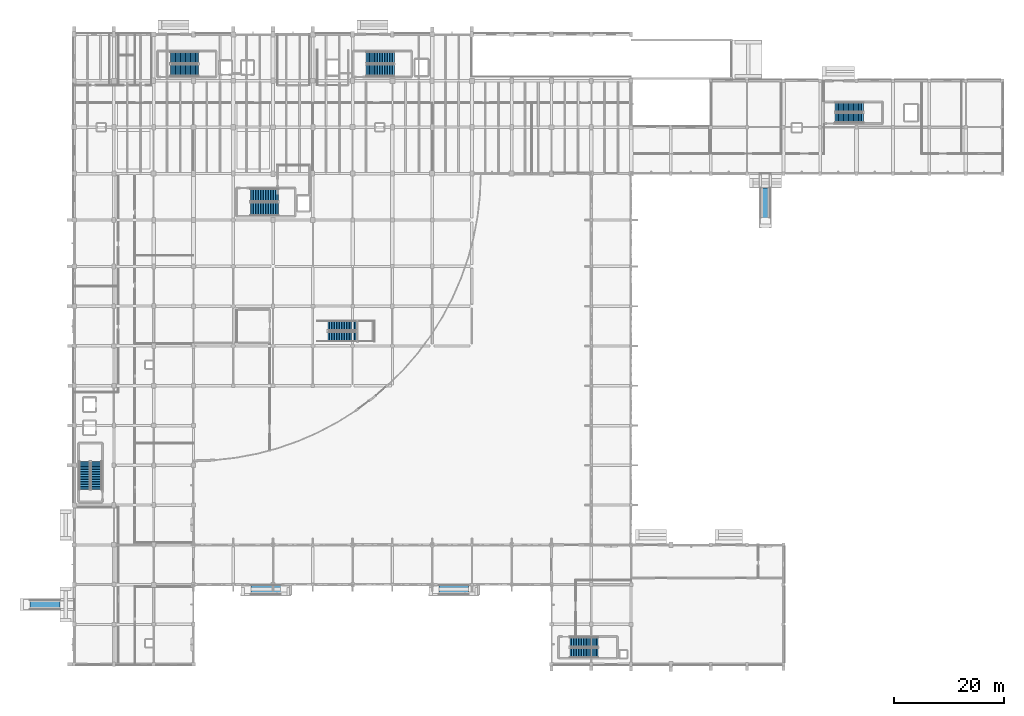
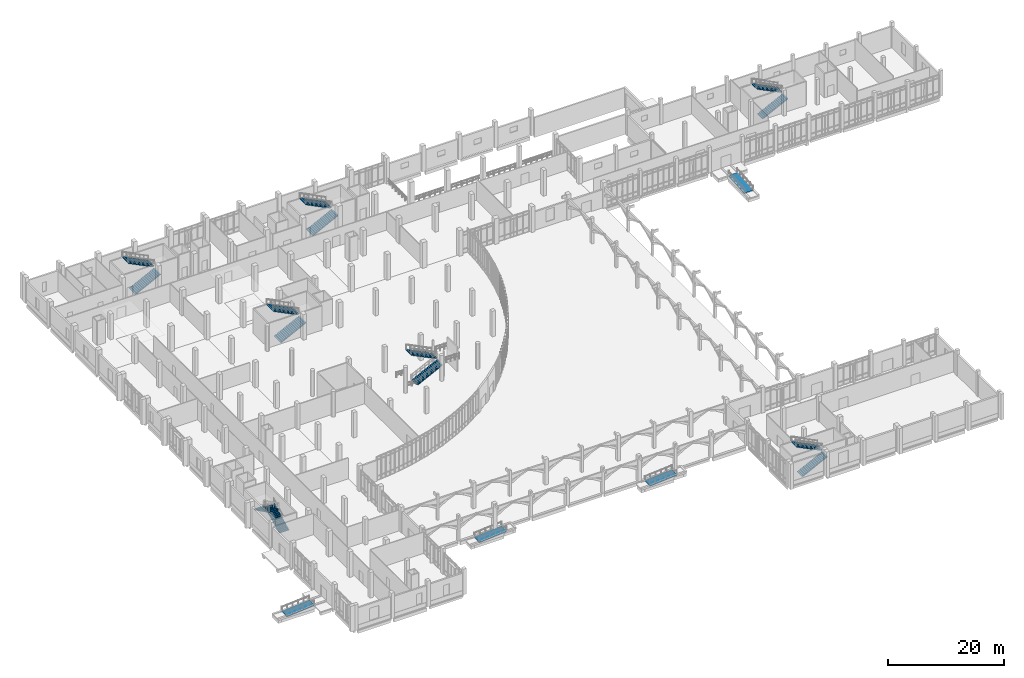
# One storey, part 98 of 110: 14 stair flights, 4 ramp flights, 11 elements without a shape of their own.
"""IFC4 building model written with IfcOpenShell, lengths in metres."""

import ifcopenshell
import ifcopenshell.guid

model = None  # the IFC model being written
_history = None  # IfcOwnerHistory: only IFC2X3 demands one
_inside = {}  # id of a spatial element -> (the spatial element, [elements in it])
_under = {}  # id of a project, library or spatial element -> (it, [spatial elements below it])
_declared = {}  # id of a project -> (the project, [libraries it declares])
_typed = {}  # id of a type object -> (the type object, [elements of that type])
_made_of = {}  # id of a material, layer set ... -> (it, [elements and type objects made of it])


def new_model(schema):
    """Start an empty IFC model of exactly this schema.

    Asked for "IFC4X3", IfcOpenShell would pick the latest addendum, in which some entities
    have other attributes; the version numbers below select the first issue.
    IFC2X3 requires an IfcOwnerHistory on every rooted entity: one is made here for all.
    """
    global model, _history
    if schema == "IFC4X3":
        model = ifcopenshell.file(schema_version=(4, 3, 0, 0))
    else:
        model = ifcopenshell.file(schema=schema)
    _inside.clear()
    _under.clear()
    _declared.clear()
    _typed.clear()
    _made_of.clear()
    _history = None
    if model.schema == "IFC2X3":
        org = make("IfcOrganization", Name="unknown")
        user = make(
            "IfcPersonAndOrganization",
            ThePerson=make("IfcPerson", FamilyName="unknown"),
            TheOrganization=org,
        )
        app = make(
            "IfcApplication",
            ApplicationDeveloper=org,
            Version="unknown",
            ApplicationFullName="unknown",
            ApplicationIdentifier="unknown",
        )
        _history = make(
            "IfcOwnerHistory",
            OwningUser=user,
            OwningApplication=app,
            ChangeAction="ADDED",
            CreationDate=0,
        )
    return model


def make(cls, **values):
    """One entity of the class cls with the attributes given. An attribute that is None is left unset."""
    return model.create_entity(
        cls, **{name: value for name, value in values.items() if value is not None}
    )


def rooted(cls, **values):
    """An entity with a GlobalId (a new one), such as an element, a storey or a relation."""
    return make(cls, GlobalId=ifcopenshell.guid.new(), OwnerHistory=_history, **values)


def si_unit(unit_type, name, prefix=None):
    """IfcSIUnit, for example si_unit("LENGTHUNIT", "METRE", prefix="MILLI")."""
    return make("IfcSIUnit", UnitType=unit_type, Prefix=prefix, Name=name)


def assignment(units):
    """IfcUnitAssignment: the units of a project."""
    return None if units is None else make("IfcUnitAssignment", Units=units)


def point(xyz):
    """IfcCartesianPoint."""
    return None if xyz is None else make("IfcCartesianPoint", Coordinates=xyz)


def direction(xyz):
    """IfcDirection."""
    return None if xyz is None else make("IfcDirection", DirectionRatios=xyz)


def frame(location, z_axis=None, x_axis=None):
    """IfcAxis2Placement3D, a coordinate frame: its origin and axes. An axis left out is left unset."""
    return make(
        "IfcAxis2Placement3D",
        Location=point(location),
        Axis=direction(z_axis),
        RefDirection=direction(x_axis),
    )


def origin():
    """The frame at (0, 0, 0) with its axes left unset."""
    return frame((0.0, 0.0, 0.0))


def place(relative_to, where):
    """IfcLocalPlacement: puts the frame where relative to a parent placement (None: the world)."""
    return make(
        "IfcLocalPlacement", PlacementRelTo=relative_to, RelativePlacement=where
    )


def context(
    kind, dimensions, precision=None, world=None, true_north=None, identifier=None
):
    """IfcGeometricRepresentationContext, for example the 3D "Model" context."""
    return make(
        "IfcGeometricRepresentationContext",
        ContextIdentifier=identifier,
        ContextType=kind,
        CoordinateSpaceDimension=dimensions,
        Precision=precision,
        WorldCoordinateSystem=world,
        TrueNorth=true_north,
    )


def subcontext(parent, identifier, kind, view, scale=None):
    """IfcGeometricRepresentationSubContext, for example "Body" below "Model"."""
    return make(
        "IfcGeometricRepresentationSubContext",
        ContextIdentifier=identifier,
        ContextType=kind,
        ParentContext=parent,
        TargetScale=scale,
        TargetView=view,
    )


def project(units=None, contexts=None):
    """IfcProject with its units and contexts."""
    return rooted(
        "IfcProject",
        Name="project",
        RepresentationContexts=contexts,
        UnitsInContext=assignment(units),
    )


def spatial(cls, under=None, at=None, **own):
    """A site, building, storey or space (cls), placed at a placement, below another one or the project."""
    s = rooted(cls, ObjectPlacement=at, **own)
    if under is not None:
        _under.setdefault(under.id(), (under, []))[1].append(s)
    return s


def polyline(points):
    """IfcPolyline through the points."""
    return make("IfcPolyline", Points=[point(p) for p in points])


def outline(outer, holes=None, kind="AREA"):
    """IfcArbitraryClosedProfileDef: a profile drawn as a closed curve; with holes, ...WithVoids."""
    if holes is None:
        return make("IfcArbitraryClosedProfileDef", ProfileType=kind, OuterCurve=outer)
    return make(
        "IfcArbitraryProfileDefWithVoids",
        ProfileType=kind,
        OuterCurve=outer,
        InnerCurves=holes,
    )


def extrude(swept, where, along, depth):
    """IfcExtrudedAreaSolid: the profile swept, set in the frame where, extruded along a direction by depth."""
    return make(
        "IfcExtrudedAreaSolid",
        SweptArea=swept,
        Position=where,
        ExtrudedDirection=direction(along),
        Depth=depth,
    )


def shape(context_of_items, identifier, shape_type, items):
    """IfcShapeRepresentation: the items that make up one representation, for example the "Body"."""
    return make(
        "IfcShapeRepresentation",
        ContextOfItems=context_of_items,
        RepresentationIdentifier=identifier,
        RepresentationType=shape_type,
        Items=items,
    )


def material(Name=None, Category=None):
    """IfcMaterial."""
    return make("IfcMaterial", Name=Name, Category=Category)


def layer(
    of_material, thickness, ventilated=None, Name=None, Category=None, Priority=None
):
    """IfcMaterialLayer: one layer of a wall or slab, of a material (None: an air gap)."""
    return make(
        "IfcMaterialLayer",
        Material=of_material,
        LayerThickness=thickness,
        IsVentilated=ventilated,
        Name=Name,
        Category=Category,
        Priority=Priority,
    )


def layer_set(layers, Name=None):
    """IfcMaterialLayerSet."""
    return make("IfcMaterialLayerSet", MaterialLayers=layers, LayerSetName=Name)


def made_of(thing, what):
    """Note that an element or type object is made of a material, layer set ...; save() writes the relation."""
    if what is not None:
        _made_of.setdefault(what.id(), (what, []))[1].append(thing)
    return thing


def type_object(cls, material=None, **own):
    """A type object (cls), such as IfcWallType, which elements share."""
    return made_of(rooted(cls, **own), material)


def element(
    cls,
    number,
    at=None,
    inside=None,
    cuts=None,
    type_object=None,
    material=None,
    context=None,
    identifier="Body",
    shape_type=None,
    held_by="IfcProductDefinitionShape",
    body=None,
    shapes=None,
    **own,
):
    """One element of the class cls, such as IfcWall. Its Tag is "e" and its number.

    at: its placement. inside: the storey or other place that contains it. cuts: it is an
    opening in that element (IfcRelVoidsElement). A single representation is given by context,
    identifier, shape_type and body (its items); several are given by shapes. held_by: the class
    of the entity that holds the representations. save() writes the other relations.
    """
    e = rooted(cls, Tag="e%d" % number, ObjectPlacement=at, **own)
    if body is not None:
        shapes = [shape(context, identifier, shape_type, body)]
    if shapes is not None:
        e.Representation = make(held_by, Representations=shapes)
    if inside is not None:
        _inside.setdefault(inside.id(), (inside, []))[1].append(e)
    if cuts is not None:
        rooted(
            "IfcRelVoidsElement", RelatingBuildingElement=cuts, RelatedOpeningElement=e
        )
    if type_object is not None:
        _typed.setdefault(type_object.id(), (type_object, []))[1].append(e)
    return made_of(e, material)


def aggregate(whole, parts):
    """IfcRelAggregates: a whole, such as a stair, and the parts it consists of."""
    return rooted("IfcRelAggregates", RelatingObject=whole, RelatedObjects=parts)


def save(model, path):
    """Write the relations noted so far, then the file.

    IfcRelAggregates (storeys below a building ...), IfcRelContainedInSpatialStructure (elements
    in a storey), IfcRelDefinesByType, IfcRelAssociatesMaterial and IfcRelDeclares: one each for
    every whole, place, type object, material and project.
    """
    for whole, parts in _under.values():
        aggregate(whole, parts)
    for where, things in _inside.values():
        rooted(
            "IfcRelContainedInSpatialStructure",
            RelatedElements=things,
            RelatingStructure=where,
        )
    for kind, things in _typed.values():
        rooted("IfcRelDefinesByType", RelatedObjects=things, RelatingType=kind)
    for what, things in _made_of.values():
        rooted("IfcRelAssociatesMaterial", RelatedObjects=things, RelatingMaterial=what)
    for by, libraries in _declared.values():
        rooted("IfcRelDeclares", RelatingContext=by, RelatedDefinitions=libraries)
    model.write(path)


model = new_model("IFC4")

# Units and contexts
model_context = context("Model", 3, precision=1e-05, world=origin(), true_north=direction((0.0, 1.0)))
body_context = subcontext(model_context, "Body", "Model", "MODEL_VIEW")
ifc_project = project(units=[si_unit("LENGTHUNIT", "METRE"), si_unit("AREAUNIT", "SQUARE_METRE"), si_unit("VOLUMEUNIT", "CUBIC_METRE"), si_unit("PLANEANGLEUNIT", "RADIAN"), si_unit("MASSUNIT", "GRAM", prefix="KILO")], contexts=[model_context])

# Site, building, storey
site_placement = place(None, origin())
site = spatial("IfcSite", under=ifc_project, at=site_placement, CompositionType="ELEMENT")
building_placement = place(site_placement, origin())
building = spatial("IfcBuilding", under=site, at=building_placement, Name="Kalluvel Institute of Natural Sciences", CompositionType="ELEMENT")
storey_placement = place(building_placement, origin())
storey = spatial("IfcBuildingStorey", under=building, at=storey_placement, Name="L00", CompositionType="ELEMENT", Elevation=0.0)

# Stair, stair flights
ifc_material = material(Name="Concrete M40", Category="concrete")
stair_type_1 = type_object("IfcStairType", Name="STR-ST12-54", PredefinedType="HALF_TURN_STAIR", material=ifc_material)
stair_1_placement = place(storey_placement, origin())
stair_1 = element("IfcStair", 1, at=stair_1_placement, inside=storey, type_object=stair_type_1, Name="L00 Wet Wing West Protected Exit Stair ST1", PredefinedType="HALF_TURN_STAIR")
stair_flight_type_1 = type_object("IfcStairFlightType", Name="STF-ST12-54", PredefinedType="STRAIGHT", material=ifc_material)
stair_flight_1_placement = place(storey_placement, frame((31.449951171875, 121.47998046875, 0.0), z_axis=(0.0, 0.0, 1.0), x_axis=(1.0, 0.0, 0.0)))
stair_flight_1 = element("IfcStairFlight", 2, at=stair_flight_1_placement, type_object=stair_flight_type_1, Name="S1-54 flight 1", NumberOfRisers=18, NumberOfTreads=17, PredefinedType="STRAIGHT", RiserHeight=0.15, TreadLength=0.3, context=body_context, shape_type="SweptSolid", body=[
    extrude(outline(polyline([(0.0, 0.0), (0.0, 0.14990234375), (0.300048828125, 0.14990234375), (0.300048828125, 0.300048828125), (0.60009765625, 0.300048828125), (0.60009765625, 0.449951171875), (0.89990234375, 0.449951171875), (0.89990234375, 0.60009765625), (1.199951171875, 0.60009765625), (1.199951171875, 0.75), (1.5, 0.75), (1.5, 0.89990234375), (1.800048828125, 0.89990234375), (1.800048828125, 1.050048828125), (2.10009765625, 1.050048828125), (2.10009765625, 1.199951171875), (2.39990234375, 1.199951171875), (2.39990234375, 1.35009765625), (2.699951171875, 1.35009765625), (2.699951171875, 1.5), (3.0, 1.5), (3.0, 1.64990234375), (3.300048828125, 1.64990234375), (3.300048828125, 1.800048828125), (3.60009765625, 1.800048828125), (3.60009765625, 1.949951171875), (3.89990234375, 1.949951171875), (3.89990234375, 2.10009765625), (4.199951171875, 2.10009765625), (4.199951171875, 2.25), (4.5, 2.25), (4.5, 2.39990234375), (4.800048828125, 2.39990234375), (4.800048828125, 2.550048828125), (5.10009765625, 2.550048828125), (5.10009765625, 2.699951171875), (5.10009765625, 2.38232421875), (0.335205078125, 0.0), (0.0, 0.0)])), frame((0.0, 1.080078125, 0.0), z_axis=(0.0, -1.0, 0.0), x_axis=(1.0, 0.0, 0.0)), (0.0, 0.0, 1.0), 2.159912109375),
])
stair_flight_2_placement = place(storey_placement, frame((36.550048828125, 123.7900390625, 2.699951171875), z_axis=(0.0, 0.0, 1.0), x_axis=(-1.0, 0.0, 0.0)))
stair_flight_2 = element("IfcStairFlight", 3, at=stair_flight_2_placement, type_object=stair_flight_type_1, Name="S1-54 flight 2", NumberOfRisers=18, NumberOfTreads=17, PredefinedType="STRAIGHT", RiserHeight=0.15, TreadLength=0.3, context=body_context, shape_type="SweptSolid", body=[
    extrude(outline(polyline([(0.0, 0.0), (0.0, 0.14990234375), (0.300048828125, 0.14990234375), (0.300048828125, 0.300048828125), (0.60009765625, 0.300048828125), (0.60009765625, 0.449951171875), (0.89990234375, 0.449951171875), (0.89990234375, 0.60009765625), (1.199951171875, 0.60009765625), (1.199951171875, 0.75), (1.5, 0.75), (1.5, 0.89990234375), (1.800048828125, 0.89990234375), (1.800048828125, 1.050048828125), (2.10009765625, 1.050048828125), (2.10009765625, 1.199951171875), (2.39990234375, 1.199951171875), (2.39990234375, 1.35009765625), (2.699951171875, 1.35009765625), (2.699951171875, 1.5), (3.0, 1.5), (3.0, 1.64990234375), (3.300048828125, 1.64990234375), (3.300048828125, 1.800048828125), (3.60009765625, 1.800048828125), (3.60009765625, 1.949951171875), (3.89990234375, 1.949951171875), (3.89990234375, 2.10009765625), (4.199951171875, 2.10009765625), (4.199951171875, 2.25), (4.5, 2.25), (4.5, 2.39990234375), (4.800048828125, 2.39990234375), (4.800048828125, 2.550048828125), (5.10009765625, 2.550048828125), (5.10009765625, 2.699951171875), (5.10009765625, 2.38232421875), (0.335205078125, 0.0), (0.0, 0.0)])), frame((0.0, 1.080078125, 0.0), z_axis=(0.0, -1.0, 0.0), x_axis=(1.0, 0.0, 0.0)), (0.0, 0.0, 1.0), 2.159912109375),
])
aggregate(stair_1, [stair_flight_1, stair_flight_2])

stair_2_placement = place(storey_placement, origin())
stair_2 = element("IfcStair", 4, at=stair_2_placement, inside=storey, type_object=stair_type_1, Name="L00 Wet Wing East Protected Exit Stair ST2", PredefinedType="HALF_TURN_STAIR")
stair_flight_3_placement = place(storey_placement, frame((66.85009765625, 121.47998046875, 0.0), z_axis=(0.0, 0.0, 1.0), x_axis=(1.0, 0.0, 0.0)))
stair_flight_3 = element("IfcStairFlight", 5, at=stair_flight_3_placement, type_object=stair_flight_type_1, Name="S1-54 flight 1", NumberOfRisers=18, NumberOfTreads=17, PredefinedType="STRAIGHT", RiserHeight=0.15, TreadLength=0.3, context=body_context, shape_type="SweptSolid", body=[
    extrude(outline(polyline([(0.0, 0.0), (0.0, 0.14990234375), (0.300048828125, 0.14990234375), (0.300048828125, 0.300048828125), (0.60009765625, 0.300048828125), (0.60009765625, 0.449951171875), (0.89990234375, 0.449951171875), (0.89990234375, 0.60009765625), (1.199951171875, 0.60009765625), (1.199951171875, 0.75), (1.5, 0.75), (1.5, 0.89990234375), (1.800048828125, 0.89990234375), (1.800048828125, 1.050048828125), (2.10009765625, 1.050048828125), (2.10009765625, 1.199951171875), (2.39990234375, 1.199951171875), (2.39990234375, 1.35009765625), (2.699951171875, 1.35009765625), (2.699951171875, 1.5), (3.0, 1.5), (3.0, 1.64990234375), (3.300048828125, 1.64990234375), (3.300048828125, 1.800048828125), (3.60009765625, 1.800048828125), (3.60009765625, 1.949951171875), (3.89990234375, 1.949951171875), (3.89990234375, 2.10009765625), (4.199951171875, 2.10009765625), (4.199951171875, 2.25), (4.5, 2.25), (4.5, 2.39990234375), (4.800048828125, 2.39990234375), (4.800048828125, 2.550048828125), (5.10009765625, 2.550048828125), (5.10009765625, 2.699951171875), (5.10009765625, 2.38232421875), (0.335205078125, 0.0), (0.0, 0.0)])), frame((0.0, 1.080078125, 0.0), z_axis=(0.0, -1.0, 0.0), x_axis=(1.0, 0.0, 0.0)), (0.0, 0.0, 1.0), 2.159912109375),
])
stair_flight_4_placement = place(storey_placement, frame((71.949951171875, 123.7900390625, 2.699951171875), z_axis=(0.0, 0.0, 1.0), x_axis=(-1.0, 0.0, 0.0)))
stair_flight_4 = element("IfcStairFlight", 6, at=stair_flight_4_placement, type_object=stair_flight_type_1, Name="S1-54 flight 2", NumberOfRisers=18, NumberOfTreads=17, PredefinedType="STRAIGHT", RiserHeight=0.15, TreadLength=0.3, context=body_context, shape_type="SweptSolid", body=[
    extrude(outline(polyline([(0.0, 0.0), (0.0, 0.14990234375), (0.300048828125, 0.14990234375), (0.300048828125, 0.300048828125), (0.60009765625, 0.300048828125), (0.60009765625, 0.449951171875), (0.89990234375, 0.449951171875), (0.89990234375, 0.60009765625), (1.199951171875, 0.60009765625), (1.199951171875, 0.75), (1.5, 0.75), (1.5, 0.89990234375), (1.800048828125, 0.89990234375), (1.800048828125, 1.050048828125), (2.10009765625, 1.050048828125), (2.10009765625, 1.199951171875), (2.39990234375, 1.199951171875), (2.39990234375, 1.35009765625), (2.699951171875, 1.35009765625), (2.699951171875, 1.5), (3.0, 1.5), (3.0, 1.64990234375), (3.300048828125, 1.64990234375), (3.300048828125, 1.800048828125), (3.60009765625, 1.800048828125), (3.60009765625, 1.949951171875), (3.89990234375, 1.949951171875), (3.89990234375, 2.10009765625), (4.199951171875, 2.10009765625), (4.199951171875, 2.25), (4.5, 2.25), (4.5, 2.39990234375), (4.800048828125, 2.39990234375), (4.800048828125, 2.550048828125), (5.10009765625, 2.550048828125), (5.10009765625, 2.699951171875), (5.10009765625, 2.38232421875), (0.335205078125, 0.0), (0.0, 0.0)])), frame((0.0, 1.080078125, 0.0), z_axis=(0.0, -1.0, 0.0), x_axis=(1.0, 0.0, 0.0)), (0.0, 0.0, 1.0), 2.159912109375),
])
aggregate(stair_2, [stair_flight_3, stair_flight_4])

stair_type_2 = type_object("IfcStairType", Name="STR-ST3-54", PredefinedType="HALF_TURN_STAIR", material=ifc_material)
stair_3_placement = place(storey_placement, origin())
stair_3 = element("IfcStair", 7, at=stair_3_placement, inside=storey, type_object=stair_type_2, Name="L00 Central Fire-Tower Protected Stair ST3", PredefinedType="HALF_TURN_STAIR")
stair_flight_type_2 = type_object("IfcStairFlightType", Name="STF-ST3-54", PredefinedType="STRAIGHT", material=ifc_material)
stair_flight_5_placement = place(storey_placement, frame((45.89990234375, 96.3798828125, 0.0), z_axis=(0.0, 0.0, 1.0), x_axis=(1.0, 0.0, 0.0)))
stair_flight_5 = element("IfcStairFlight", 8, at=stair_flight_5_placement, type_object=stair_flight_type_2, Name="S3-54 flight 1", NumberOfRisers=18, NumberOfTreads=17, PredefinedType="STRAIGHT", RiserHeight=0.15, TreadLength=0.3, context=body_context, shape_type="SweptSolid", body=[
    extrude(outline(polyline([(0.0, 0.0), (0.0, 0.14990234375), (0.300048828125, 0.14990234375), (0.300048828125, 0.300048828125), (0.60009765625, 0.300048828125), (0.60009765625, 0.449951171875), (0.89990234375, 0.449951171875), (0.89990234375, 0.60009765625), (1.199951171875, 0.60009765625), (1.199951171875, 0.75), (1.5, 0.75), (1.5, 0.89990234375), (1.800048828125, 0.89990234375), (1.800048828125, 1.050048828125), (2.10009765625, 1.050048828125), (2.10009765625, 1.199951171875), (2.39990234375, 1.199951171875), (2.39990234375, 1.35009765625), (2.699951171875, 1.35009765625), (2.699951171875, 1.5), (3.0, 1.5), (3.0, 1.64990234375), (3.300048828125, 1.64990234375), (3.300048828125, 1.800048828125), (3.60009765625, 1.800048828125), (3.60009765625, 1.949951171875), (3.89990234375, 1.949951171875), (3.89990234375, 2.10009765625), (4.199951171875, 2.10009765625), (4.199951171875, 2.25), (4.5, 2.25), (4.5, 2.39990234375), (4.800048828125, 2.39990234375), (4.800048828125, 2.550048828125), (5.10009765625, 2.550048828125), (5.10009765625, 2.699951171875), (5.10009765625, 2.38232421875), (0.335205078125, 0.0), (0.0, 0.0)])), frame((0.0, 1.18017578125, 0.0), z_axis=(0.0, -1.0, 0.0), x_axis=(1.0, 0.0, 0.0)), (0.0, 0.0, 1.0), 2.360107421875),
])
stair_flight_6_placement = place(storey_placement, frame((51.0, 98.889892578125, 2.699951171875), z_axis=(0.0, 0.0, 1.0), x_axis=(-1.0, 0.0, 0.0)))
stair_flight_6 = element("IfcStairFlight", 9, at=stair_flight_6_placement, type_object=stair_flight_type_2, Name="S3-54 flight 2", NumberOfRisers=18, NumberOfTreads=17, PredefinedType="STRAIGHT", RiserHeight=0.15, TreadLength=0.3, context=body_context, shape_type="SweptSolid", body=[
    extrude(outline(polyline([(0.0, 0.0), (0.0, 0.14990234375), (0.300048828125, 0.14990234375), (0.300048828125, 0.300048828125), (0.60009765625, 0.300048828125), (0.60009765625, 0.449951171875), (0.89990234375, 0.449951171875), (0.89990234375, 0.60009765625), (1.199951171875, 0.60009765625), (1.199951171875, 0.75), (1.5, 0.75), (1.5, 0.89990234375), (1.800048828125, 0.89990234375), (1.800048828125, 1.050048828125), (2.10009765625, 1.050048828125), (2.10009765625, 1.199951171875), (2.39990234375, 1.199951171875), (2.39990234375, 1.35009765625), (2.699951171875, 1.35009765625), (2.699951171875, 1.5), (3.0, 1.5), (3.0, 1.64990234375), (3.300048828125, 1.64990234375), (3.300048828125, 1.800048828125), (3.60009765625, 1.800048828125), (3.60009765625, 1.949951171875), (3.89990234375, 1.949951171875), (3.89990234375, 2.10009765625), (4.199951171875, 2.10009765625), (4.199951171875, 2.25), (4.5, 2.25), (4.5, 2.39990234375), (4.800048828125, 2.39990234375), (4.800048828125, 2.550048828125), (5.10009765625, 2.550048828125), (5.10009765625, 2.699951171875), (5.10009765625, 2.38232421875), (0.335205078125, 0.0), (0.0, 0.0)])), frame((0.0, 1.18017578125, 0.0), z_axis=(0.0, -1.0, 0.0), x_axis=(1.0, 0.0, 0.0)), (0.0, 0.0, 1.0), 2.360107421875),
])
aggregate(stair_3, [stair_flight_5, stair_flight_6])

stair_type_3 = type_object("IfcStairType", Name="STR-ST4-54", PredefinedType="HALF_TURN_STAIR", material=ifc_material)
stair_4_placement = place(storey_placement, origin())
stair_4 = element("IfcStair", 10, at=stair_4_placement, inside=storey, type_object=stair_type_3, Name="L00 Dry Wing Protected Exit Stair ST4", PredefinedType="HALF_TURN_STAIR")
stair_flight_type_3 = type_object("IfcStairFlightType", Name="STF-ST4-54", PredefinedType="STRAIGHT", material=ifc_material)
stair_flight_7_placement = place(storey_placement, frame((18.02001953125, 45.60009765625, 0.0), z_axis=(0.0, 0.0, 1.0), x_axis=(0.0, 1.0, 0.0)))
stair_flight_7 = element("IfcStairFlight", 11, at=stair_flight_7_placement, type_object=stair_flight_type_3, Name="S4-54 flight 1", NumberOfRisers=18, NumberOfTreads=17, PredefinedType="STRAIGHT", RiserHeight=0.15, TreadLength=0.3, context=body_context, shape_type="SweptSolid", body=[
    extrude(outline(polyline([(0.0, 0.0), (0.0, 0.14990234375), (0.300048828125, 0.14990234375), (0.300048828125, 0.300048828125), (0.60009765625, 0.300048828125), (0.60009765625, 0.449951171875), (0.89990234375, 0.449951171875), (0.89990234375, 0.60009765625), (1.199951171875, 0.60009765625), (1.199951171875, 0.75), (1.5, 0.75), (1.5, 0.89990234375), (1.800048828125, 0.89990234375), (1.800048828125, 1.050048828125), (2.10009765625, 1.050048828125), (2.10009765625, 1.199951171875), (2.39990234375, 1.199951171875), (2.39990234375, 1.35009765625), (2.699951171875, 1.35009765625), (2.699951171875, 1.5), (3.0, 1.5), (3.0, 1.64990234375), (3.300048828125, 1.64990234375), (3.300048828125, 1.800048828125), (3.60009765625, 1.800048828125), (3.60009765625, 1.949951171875), (3.89990234375, 1.949951171875), (3.89990234375, 2.10009765625), (4.199951171875, 2.10009765625), (4.199951171875, 2.25), (4.5, 2.25), (4.5, 2.39990234375), (4.800048828125, 2.39990234375), (4.800048828125, 2.550048828125), (5.10009765625, 2.550048828125), (5.10009765625, 2.699951171875), (5.10009765625, 2.38232421875), (0.335205078125, 0.0), (0.0, 0.0)])), frame((0.0, 0.97998046875, 0.0), z_axis=(0.0, -1.0, 0.0), x_axis=(1.0, 0.0, 0.0)), (0.0, 0.0, 1.0), 1.9599609375),
])
stair_flight_8_placement = place(storey_placement, frame((15.909912109375, 50.699951171875, 2.699951171875), z_axis=(0.0, 0.0, 1.0), x_axis=(0.0, -1.0, 0.0)))
stair_flight_8 = element("IfcStairFlight", 12, at=stair_flight_8_placement, type_object=stair_flight_type_3, Name="S4-54 flight 2", NumberOfRisers=18, NumberOfTreads=17, PredefinedType="STRAIGHT", RiserHeight=0.15, TreadLength=0.3, context=body_context, shape_type="SweptSolid", body=[
    extrude(outline(polyline([(0.0, 0.0), (0.0, 0.14990234375), (0.300048828125, 0.14990234375), (0.300048828125, 0.300048828125), (0.60009765625, 0.300048828125), (0.60009765625, 0.449951171875), (0.89990234375, 0.449951171875), (0.89990234375, 0.60009765625), (1.199951171875, 0.60009765625), (1.199951171875, 0.75), (1.5, 0.75), (1.5, 0.89990234375), (1.800048828125, 0.89990234375), (1.800048828125, 1.050048828125), (2.10009765625, 1.050048828125), (2.10009765625, 1.199951171875), (2.39990234375, 1.199951171875), (2.39990234375, 1.35009765625), (2.699951171875, 1.35009765625), (2.699951171875, 1.5), (3.0, 1.5), (3.0, 1.64990234375), (3.300048828125, 1.64990234375), (3.300048828125, 1.800048828125), (3.60009765625, 1.800048828125), (3.60009765625, 1.949951171875), (3.89990234375, 1.949951171875), (3.89990234375, 2.10009765625), (4.199951171875, 2.10009765625), (4.199951171875, 2.25), (4.5, 2.25), (4.5, 2.39990234375), (4.800048828125, 2.39990234375), (4.800048828125, 2.550048828125), (5.10009765625, 2.550048828125), (5.10009765625, 2.699951171875), (5.10009765625, 2.38232421875), (0.335205078125, 0.0), (0.0, 0.0)])), frame((0.0, 0.97998046875, 0.0), z_axis=(0.0, -1.0, 0.0), x_axis=(1.0, 0.0, 0.0)), (0.0, 0.0, 1.0), 1.9599609375),
])
aggregate(stair_4, [stair_flight_7, stair_flight_8])

stair_type_4 = type_object("IfcStairType", Name="STR-ST5-54", PredefinedType="HALF_TURN_STAIR", material=ifc_material)
stair_5_placement = place(storey_placement, origin())
stair_5 = element("IfcStair", 13, at=stair_5_placement, inside=storey, type_object=stair_type_4, Name="L00 Cleanroom Pavilion Exit Stair ST5", PredefinedType="HALF_TURN_STAIR")
stair_flight_type_4 = type_object("IfcStairFlightType", Name="STF-ST5-54", PredefinedType="STRAIGHT", material=ifc_material)
stair_flight_9_placement = place(storey_placement, frame((151.75, 112.8798828125, 0.0), z_axis=(0.0, 0.0, 1.0), x_axis=(1.0, 0.0, 0.0)))
stair_flight_9 = element("IfcStairFlight", 14, at=stair_flight_9_placement, type_object=stair_flight_type_4, Name="S5-54 flight 1", NumberOfRisers=18, NumberOfTreads=17, PredefinedType="STRAIGHT", RiserHeight=0.15, TreadLength=0.3, context=body_context, shape_type="SweptSolid", body=[
    extrude(outline(polyline([(0.0, 0.0), (0.0, 0.14990234375), (0.300048828125, 0.14990234375), (0.300048828125, 0.300048828125), (0.60009765625, 0.300048828125), (0.60009765625, 0.449951171875), (0.89990234375, 0.449951171875), (0.89990234375, 0.60009765625), (1.199951171875, 0.60009765625), (1.199951171875, 0.75), (1.5, 0.75), (1.5, 0.89990234375), (1.800048828125, 0.89990234375), (1.800048828125, 1.050048828125), (2.10009765625, 1.050048828125), (2.10009765625, 1.199951171875), (2.39990234375, 1.199951171875), (2.39990234375, 1.35009765625), (2.699951171875, 1.35009765625), (2.699951171875, 1.5), (3.0, 1.5), (3.0, 1.64990234375), (3.300048828125, 1.64990234375), (3.300048828125, 1.800048828125), (3.60009765625, 1.800048828125), (3.60009765625, 1.949951171875), (3.89990234375, 1.949951171875), (3.89990234375, 2.10009765625), (4.199951171875, 2.10009765625), (4.199951171875, 2.25), (4.5, 2.25), (4.5, 2.39990234375), (4.800048828125, 2.39990234375), (4.800048828125, 2.550048828125), (5.10009765625, 2.550048828125), (5.10009765625, 2.699951171875), (5.10009765625, 2.38232421875), (0.335205078125, 0.0), (0.0, 0.0)])), frame((0.0, 0.8798828125, 0.0), z_axis=(0.0, -1.0, 0.0), x_axis=(1.0, 0.0, 0.0)), (0.0, 0.0, 1.0), 1.760009765625),
])
stair_flight_10_placement = place(storey_placement, frame((156.85009765625, 114.7900390625, 2.699951171875), z_axis=(0.0, 0.0, 1.0), x_axis=(-1.0, 0.0, 0.0)))
stair_flight_10 = element("IfcStairFlight", 15, at=stair_flight_10_placement, type_object=stair_flight_type_4, Name="S5-54 flight 2", NumberOfRisers=18, NumberOfTreads=17, PredefinedType="STRAIGHT", RiserHeight=0.15, TreadLength=0.3, context=body_context, shape_type="SweptSolid", body=[
    extrude(outline(polyline([(0.0, 0.0), (0.0, 0.14990234375), (0.300048828125, 0.14990234375), (0.300048828125, 0.300048828125), (0.60009765625, 0.300048828125), (0.60009765625, 0.449951171875), (0.89990234375, 0.449951171875), (0.89990234375, 0.60009765625), (1.199951171875, 0.60009765625), (1.199951171875, 0.75), (1.5, 0.75), (1.5, 0.89990234375), (1.800048828125, 0.89990234375), (1.800048828125, 1.050048828125), (2.10009765625, 1.050048828125), (2.10009765625, 1.199951171875), (2.39990234375, 1.199951171875), (2.39990234375, 1.35009765625), (2.699951171875, 1.35009765625), (2.699951171875, 1.5), (3.0, 1.5), (3.0, 1.64990234375), (3.300048828125, 1.64990234375), (3.300048828125, 1.800048828125), (3.60009765625, 1.800048828125), (3.60009765625, 1.949951171875), (3.89990234375, 1.949951171875), (3.89990234375, 2.10009765625), (4.199951171875, 2.10009765625), (4.199951171875, 2.25), (4.5, 2.25), (4.5, 2.39990234375), (4.800048828125, 2.39990234375), (4.800048828125, 2.550048828125), (5.10009765625, 2.550048828125), (5.10009765625, 2.699951171875), (5.10009765625, 2.38232421875), (0.335205078125, 0.0), (0.0, 0.0)])), frame((0.0, 0.8798828125, 0.0), z_axis=(0.0, -1.0, 0.0), x_axis=(1.0, 0.0, 0.0)), (0.0, 0.0, 1.0), 1.760009765625),
])
aggregate(stair_5, [stair_flight_9, stair_flight_10])

stair_6_placement = place(storey_placement, origin())
stair_6 = element("IfcStair", 16, at=stair_6_placement, inside=storey, type_object=stair_type_4, Name="L00 East Commons and Lecture Hub Protected Exit Stair ST7", PredefinedType="HALF_TURN_STAIR")
stair_flight_11_placement = place(storey_placement, frame((103.75, 16.080078125, 0.0), z_axis=(0.0, 0.0, 1.0), x_axis=(1.0, 0.0, 0.0)))
stair_flight_11 = element("IfcStairFlight", 17, at=stair_flight_11_placement, type_object=stair_flight_type_4, Name="S5-54 flight 1", NumberOfRisers=18, NumberOfTreads=17, PredefinedType="STRAIGHT", RiserHeight=0.15, TreadLength=0.3, context=body_context, shape_type="SweptSolid", body=[
    extrude(outline(polyline([(0.0, 0.0), (0.0, 0.14990234375), (0.300048828125, 0.14990234375), (0.300048828125, 0.300048828125), (0.60009765625, 0.300048828125), (0.60009765625, 0.449951171875), (0.89990234375, 0.449951171875), (0.89990234375, 0.60009765625), (1.199951171875, 0.60009765625), (1.199951171875, 0.75), (1.5, 0.75), (1.5, 0.89990234375), (1.800048828125, 0.89990234375), (1.800048828125, 1.050048828125), (2.10009765625, 1.050048828125), (2.10009765625, 1.199951171875), (2.39990234375, 1.199951171875), (2.39990234375, 1.35009765625), (2.699951171875, 1.35009765625), (2.699951171875, 1.5), (3.0, 1.5), (3.0, 1.64990234375), (3.300048828125, 1.64990234375), (3.300048828125, 1.800048828125), (3.60009765625, 1.800048828125), (3.60009765625, 1.949951171875), (3.89990234375, 1.949951171875), (3.89990234375, 2.10009765625), (4.199951171875, 2.10009765625), (4.199951171875, 2.25), (4.5, 2.25), (4.5, 2.39990234375), (4.800048828125, 2.39990234375), (4.800048828125, 2.550048828125), (5.10009765625, 2.550048828125), (5.10009765625, 2.699951171875), (5.10009765625, 2.38232421875), (0.335205078125, 0.0), (0.0, 0.0)])), frame((0.0, 0.8798828125, 0.0), z_axis=(0.0, -1.0, 0.0), x_axis=(1.0, 0.0, 0.0)), (0.0, 0.0, 1.0), 1.760009765625),
])
stair_flight_12_placement = place(storey_placement, frame((108.85009765625, 17.989990234375, 2.699951171875), z_axis=(0.0, 0.0, 1.0), x_axis=(-1.0, 0.0, 0.0)))
stair_flight_12 = element("IfcStairFlight", 18, at=stair_flight_12_placement, type_object=stair_flight_type_4, Name="S5-54 flight 2", NumberOfRisers=18, NumberOfTreads=17, PredefinedType="STRAIGHT", RiserHeight=0.15, TreadLength=0.3, context=body_context, shape_type="SweptSolid", body=[
    extrude(outline(polyline([(0.0, 0.0), (0.0, 0.14990234375), (0.300048828125, 0.14990234375), (0.300048828125, 0.300048828125), (0.60009765625, 0.300048828125), (0.60009765625, 0.449951171875), (0.89990234375, 0.449951171875), (0.89990234375, 0.60009765625), (1.199951171875, 0.60009765625), (1.199951171875, 0.75), (1.5, 0.75), (1.5, 0.89990234375), (1.800048828125, 0.89990234375), (1.800048828125, 1.050048828125), (2.10009765625, 1.050048828125), (2.10009765625, 1.199951171875), (2.39990234375, 1.199951171875), (2.39990234375, 1.35009765625), (2.699951171875, 1.35009765625), (2.699951171875, 1.5), (3.0, 1.5), (3.0, 1.64990234375), (3.300048828125, 1.64990234375), (3.300048828125, 1.800048828125), (3.60009765625, 1.800048828125), (3.60009765625, 1.949951171875), (3.89990234375, 1.949951171875), (3.89990234375, 2.10009765625), (4.199951171875, 2.10009765625), (4.199951171875, 2.25), (4.5, 2.25), (4.5, 2.39990234375), (4.800048828125, 2.39990234375), (4.800048828125, 2.550048828125), (5.10009765625, 2.550048828125), (5.10009765625, 2.699951171875), (5.10009765625, 2.38232421875), (0.335205078125, 0.0), (0.0, 0.0)])), frame((0.0, 0.8798828125, 0.0), z_axis=(0.0, -1.0, 0.0), x_axis=(1.0, 0.0, 0.0)), (0.0, 0.0, 1.0), 1.760009765625),
])
aggregate(stair_6, [stair_flight_11, stair_flight_12])

stair_type_5 = type_object("IfcStairType", Name="STR-ST6-54", PredefinedType="HALF_TURN_STAIR", material=ifc_material)
stair_7_placement = place(storey_placement, origin())
stair_7 = element("IfcStair", 19, at=stair_7_placement, inside=storey, type_object=stair_type_5, Name="L00 Interaction Atrium Feature Stair ST6", PredefinedType="HALF_TURN_STAIR")
stair_flight_type_5 = type_object("IfcStairFlightType", Name="STF-ST6-54", PredefinedType="STRAIGHT", material=ifc_material)
stair_flight_13_placement = place(storey_placement, frame((59.949951171875, 73.300048828125, 0.0), z_axis=(0.0, 0.0, 1.0), x_axis=(1.0, 0.0, 0.0)))
stair_flight_13 = element("IfcStairFlight", 20, at=stair_flight_13_placement, type_object=stair_flight_type_5, Name="S6-54 flight 1", NumberOfRisers=18, NumberOfTreads=17, PredefinedType="STRAIGHT", RiserHeight=0.15, TreadLength=0.3, context=body_context, shape_type="SweptSolid", body=[
    extrude(outline(polyline([(0.0, 0.0), (0.0, 0.14990234375), (0.300048828125, 0.14990234375), (0.300048828125, 0.300048828125), (0.60009765625, 0.300048828125), (0.60009765625, 0.449951171875), (0.89990234375, 0.449951171875), (0.89990234375, 0.60009765625), (1.199951171875, 0.60009765625), (1.199951171875, 0.75), (1.5, 0.75), (1.5, 0.89990234375), (1.800048828125, 0.89990234375), (1.800048828125, 1.050048828125), (2.10009765625, 1.050048828125), (2.10009765625, 1.199951171875), (2.39990234375, 1.199951171875), (2.39990234375, 1.35009765625), (2.699951171875, 1.35009765625), (2.699951171875, 1.5), (3.0, 1.5), (3.0, 1.64990234375), (3.300048828125, 1.64990234375), (3.300048828125, 1.800048828125), (3.60009765625, 1.800048828125), (3.60009765625, 1.949951171875), (3.89990234375, 1.949951171875), (3.89990234375, 2.10009765625), (4.199951171875, 2.10009765625), (4.199951171875, 2.25), (4.5, 2.25), (4.5, 2.39990234375), (4.800048828125, 2.39990234375), (4.800048828125, 2.550048828125), (5.10009765625, 2.550048828125), (5.10009765625, 2.699951171875), (5.10009765625, 2.38232421875), (0.335205078125, 0.0), (0.0, 0.0)])), frame((0.0, 0.89990234375, 0.0), z_axis=(0.0, -1.0, 0.0), x_axis=(1.0, 0.0, 0.0)), (0.0, 0.0, 1.0), 1.800048828125),
])
stair_flight_14_placement = place(storey_placement, frame((65.050048828125, 75.25, 2.699951171875), z_axis=(0.0, 0.0, 1.0), x_axis=(-1.0, 0.0, 0.0)))
stair_flight_14 = element("IfcStairFlight", 21, at=stair_flight_14_placement, type_object=stair_flight_type_5, Name="S6-54 flight 2", NumberOfRisers=18, NumberOfTreads=17, PredefinedType="STRAIGHT", RiserHeight=0.15, TreadLength=0.3, context=body_context, shape_type="SweptSolid", body=[
    extrude(outline(polyline([(0.0, 0.0), (0.0, 0.14990234375), (0.300048828125, 0.14990234375), (0.300048828125, 0.300048828125), (0.60009765625, 0.300048828125), (0.60009765625, 0.449951171875), (0.89990234375, 0.449951171875), (0.89990234375, 0.60009765625), (1.199951171875, 0.60009765625), (1.199951171875, 0.75), (1.5, 0.75), (1.5, 0.89990234375), (1.800048828125, 0.89990234375), (1.800048828125, 1.050048828125), (2.10009765625, 1.050048828125), (2.10009765625, 1.199951171875), (2.39990234375, 1.199951171875), (2.39990234375, 1.35009765625), (2.699951171875, 1.35009765625), (2.699951171875, 1.5), (3.0, 1.5), (3.0, 1.64990234375), (3.300048828125, 1.64990234375), (3.300048828125, 1.800048828125), (3.60009765625, 1.800048828125), (3.60009765625, 1.949951171875), (3.89990234375, 1.949951171875), (3.89990234375, 2.10009765625), (4.199951171875, 2.10009765625), (4.199951171875, 2.25), (4.5, 2.25), (4.5, 2.39990234375), (4.800048828125, 2.39990234375), (4.800048828125, 2.550048828125), (5.10009765625, 2.550048828125), (5.10009765625, 2.699951171875), (5.10009765625, 2.38232421875), (0.335205078125, 0.0), (0.0, 0.0)])), frame((0.0, 0.89990234375, 0.0), z_axis=(0.0, -1.0, 0.0), x_axis=(1.0, 0.0, 0.0)), (0.0, 0.0, 1.0), 1.800048828125),
])
aggregate(stair_7, [stair_flight_13, stair_flight_14])

# Ramp, ramp flight
ramp_type = type_object("IfcRampType", Name="RMP-ACC-180", PredefinedType="STRAIGHT_RUN_RAMP", material=ifc_material)
ramp_1_placement = place(storey_placement, origin())
ramp_1 = element("IfcRamp", 22, at=ramp_1_placement, inside=storey, type_object=ramp_type, Name="South Cloister West accessible entrance ramp R2", PredefinedType="STRAIGHT_RUN_RAMP")
ifc_layer = layer(ifc_material, 0.219970703125)
ifc_layer_set = layer_set([ifc_layer], Name="Concrete M40")
ramp_flight_type = type_object("IfcRampFlightType", Name="RMF-ACC-180", PredefinedType="STRAIGHT", material=ifc_layer_set)
ramp_flight_1_placement = place(storey_placement, frame((46.0, 27.5, -0.449951171875), z_axis=(0.0, 0.0, 1.0), x_axis=(1.0, 0.0, 0.0)))
ramp_flight_1 = element("IfcRampFlight", 23, at=ramp_flight_1_placement, type_object=ramp_flight_type, Name="South Cloister West accessible entrance ramp R2 flight 1", PredefinedType="STRAIGHT", context=body_context, shape_type="SweptSolid", body=[
    extrude(outline(polyline([(0.0, -0.219970703125), (0.0, 0.0), (5.39990234375, 0.449951171875), (5.39990234375, 0.22998046875), (0.0, -0.219970703125)])), frame((0.0, 0.89990234375, 0.0), z_axis=(0.0, -1.0, 0.0), x_axis=(1.0, 0.0, 0.0)), (0.0, 0.0, 1.0), 1.800048828125),
])
aggregate(ramp_1, [ramp_flight_1])

ramp_2_placement = place(storey_placement, origin())
ramp_2 = element("IfcRamp", 24, at=ramp_2_placement, inside=storey, type_object=ramp_type, Name="South Cloister East accessible entrance ramp R3", PredefinedType="STRAIGHT_RUN_RAMP")
ramp_flight_2_placement = place(storey_placement, frame((80.0, 27.5, -0.449951171875), z_axis=(0.0, 0.0, 1.0), x_axis=(1.0, 0.0, 0.0)))
ramp_flight_2 = element("IfcRampFlight", 25, at=ramp_flight_2_placement, type_object=ramp_flight_type, Name="South Cloister East accessible entrance ramp R3 flight 1", PredefinedType="STRAIGHT", context=body_context, shape_type="SweptSolid", body=[
    extrude(outline(polyline([(0.0, -0.219970703125), (0.0, 0.0), (5.39990234375, 0.449951171875), (5.39990234375, 0.22998046875), (0.0, -0.219970703125)])), frame((0.0, 0.89990234375, 0.0), z_axis=(0.0, -1.0, 0.0), x_axis=(1.0, 0.0, 0.0)), (0.0, 0.0, 1.0), 1.800048828125),
])
aggregate(ramp_2, [ramp_flight_2])

ramp_3_placement = place(storey_placement, origin())
ramp_3 = element("IfcRamp", 26, at=ramp_3_placement, inside=storey, type_object=ramp_type, Name="Cleanroom Pavilion accessible entrance ramp R4", PredefinedType="STRAIGHT_RUN_RAMP")
ramp_flight_3_placement = place(storey_placement, frame((139.10009765625, 94.800048828125, -0.449951171875), z_axis=(0.0, 0.0, 1.0), x_axis=(0.0, 1.0, 0.0)))
ramp_flight_3 = element("IfcRampFlight", 27, at=ramp_flight_3_placement, type_object=ramp_flight_type, Name="Cleanroom Pavilion accessible entrance ramp R4 flight 1", PredefinedType="STRAIGHT", context=body_context, shape_type="SweptSolid", body=[
    extrude(outline(polyline([(0.0, -0.219970703125), (0.0, 0.0), (5.429931640625, 0.449951171875), (5.429931640625, 0.22998046875), (0.0, -0.219970703125)])), frame((0.0, 0.89990234375, 0.0), z_axis=(0.0, -1.0, 0.0), x_axis=(1.0, 0.0, 0.0)), (0.0, 0.0, 1.0), 1.800048828125),
])
aggregate(ramp_3, [ramp_flight_3])

ramp_4_placement = place(storey_placement, origin())
ramp_4 = element("IfcRamp", 28, at=ramp_4_placement, inside=storey, type_object=ramp_type, Name="Dry Wing West accessible entrance ramp R5", PredefinedType="STRAIGHT_RUN_RAMP")
ramp_flight_4_placement = place(storey_placement, frame((6.0, 24.800048828125, -0.449951171875), z_axis=(0.0, 0.0, 1.0), x_axis=(1.0, 0.0, 0.0)))
ramp_flight_4 = element("IfcRampFlight", 29, at=ramp_flight_4_placement, type_object=ramp_flight_type, Name="Dry Wing West accessible entrance ramp R5 flight 1", PredefinedType="STRAIGHT", context=body_context, shape_type="SweptSolid", body=[
    extrude(outline(polyline([(0.0, -0.219970703125), (0.0, 0.0), (5.429931640625, 0.449951171875), (5.429931640625, 0.22998046875), (0.0, -0.219970703125)])), frame((0.0, 0.89990234375, 0.0), z_axis=(0.0, -1.0, 0.0), x_axis=(1.0, 0.0, 0.0)), (0.0, 0.0, 1.0), 1.800048828125),
])
aggregate(ramp_4, [ramp_flight_4])

save(model, "model.ifc")
